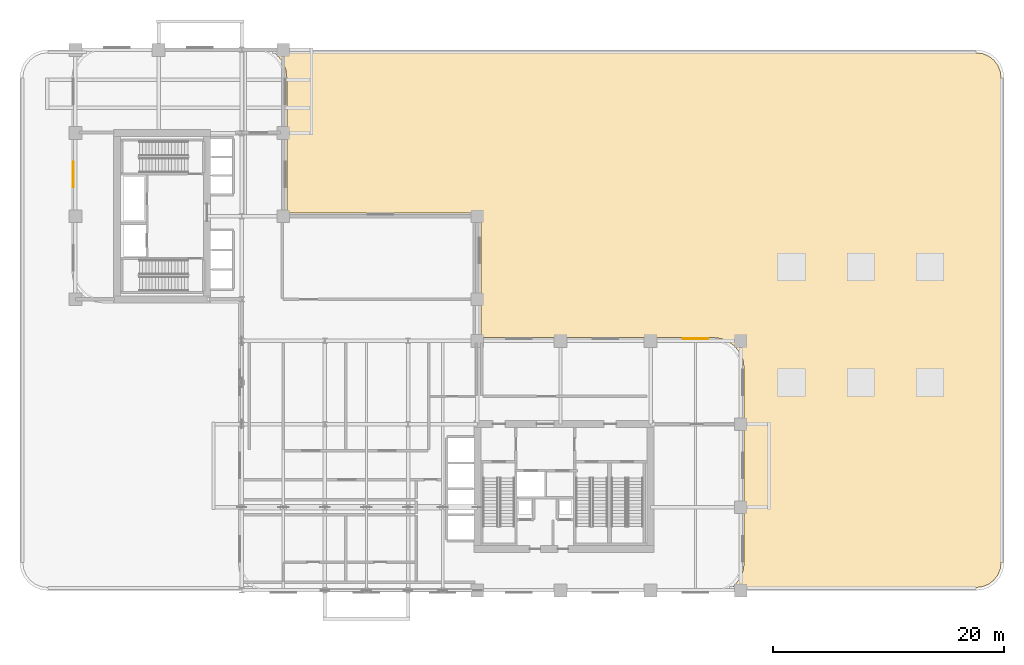
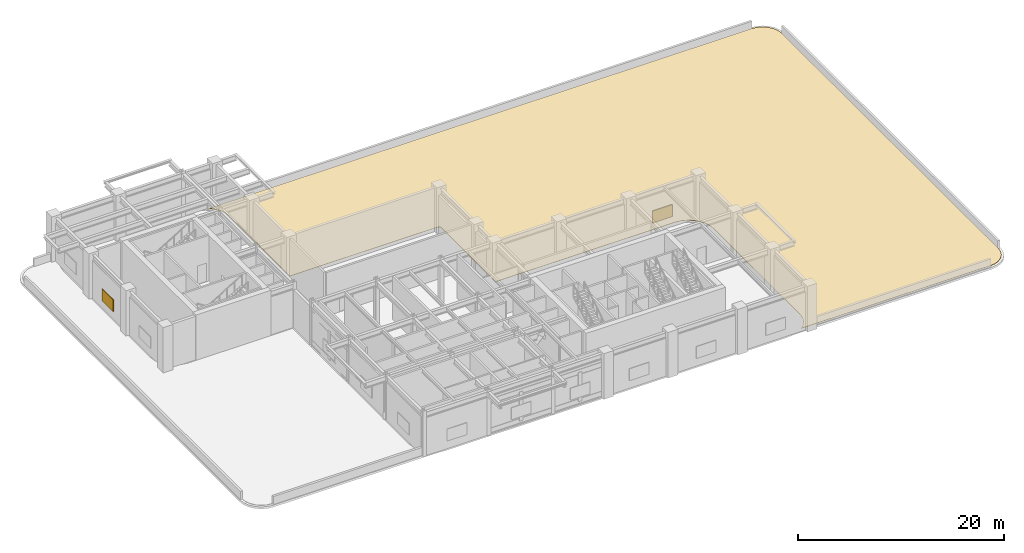
# One storey, part 13 of 14: 2 shading devices, 1 covering.
"""IFC4 building model written with IfcOpenShell, lengths in metres."""

from ifc_helpers import new_model, si_unit, derived_unit, direction, frame, origin, origin_2d, place, context, subcontext, project, spatial, polyline, rectangle, outline, extrude, source, transform, mapped, material, layer, layer_set, type_object, type_shapes, element, save


model = new_model("IFC4")

# Units and contexts
model_context = context("Model", 3, precision=1e-05, world=origin(), true_north=direction((0.0, 1.0)))
body_context = subcontext(model_context, "Body", "Model", "MODEL_VIEW")
ifc_project = project(units=[si_unit("LENGTHUNIT", "METRE"), si_unit("AREAUNIT", "SQUARE_METRE"), si_unit("VOLUMEUNIT", "CUBIC_METRE"), si_unit("PLANEANGLEUNIT", "RADIAN"), si_unit("MASSUNIT", "GRAM", prefix="KILO"), si_unit("THERMODYNAMICTEMPERATUREUNIT", "KELVIN"), si_unit("POWERUNIT", "WATT"), derived_unit("THERMALTRANSMITTANCEUNIT", [(si_unit("POWERUNIT", "WATT"), 1), (si_unit("AREAUNIT", "SQUARE_METRE"), -1), (si_unit("THERMODYNAMICTEMPERATUREUNIT", "KELVIN"), -1)])], contexts=[model_context])

# Site, building, storey
site_placement = place(None, origin())
site = spatial("IfcSite", under=ifc_project, at=site_placement, CompositionType="ELEMENT")
building_placement = place(site_placement, origin())
building = spatial("IfcBuilding", under=site, at=building_placement, Name="Zahravan Archway Hotel and Residences", CompositionType="ELEMENT")
storey_placement = place(building_placement, frame((0.0, 0.0, 27.0)))
storey = spatial("IfcBuildingStorey", under=building, at=storey_placement, Name="L05", CompositionType="ELEMENT", Elevation=27.0)

# Covering
ifc_material_1 = material(Name="Elastomeric Reflective Roof Waterproofing")
ifc_layer_1 = layer(ifc_material_1, 0.034912109375, Name="Elastomeric Reflective Roof Waterproofing")
ifc_layer_set_1 = layer_set([ifc_layer_1], Name="Elastomeric Reflective Roof Waterproofing")
covering_type = type_object("IfcCoveringType", Name="COV-ROOF-MEMB", PredefinedType="ROOFING", material=ifc_layer_set_1)
covering_placement = place(storey_placement, origin())
element("IfcCovering", 1, at=covering_placement, inside=storey, type_object=covering_type, Name="L05 Elastomeric Roof Membrane (SLB-L05-PODROOF-1)", PredefinedType="ROOFING", context=body_context, shape_type="SweptSolid", body=[
    extrude(outline(polyline([(17.19970703125, 46.550048828125), (77.983642578125, 46.550048828125), (78.555908203125, 46.474609375), (79.073974609375, 46.260009765625), (79.518798828125, 45.918701171875), (79.860107421875, 45.473876953125), (80.07470703125, 44.955810546875), (80.14990234375, 44.383544921875), (80.14990234375, 2.41650390625), (80.07470703125, 1.843994140625), (79.860107421875, 1.326171875), (79.518798828125, 0.881103515625), (79.073974609375, 0.539794921875), (78.555908203125, 0.325439453125), (77.983642578125, 0.25), (56.799560546875, 0.25), (57.07958984375, 0.46484375), (57.08642578125, 0.47021484375), (57.08984375, 0.472900390625), (57.107666015625, 0.4892578125), (57.11083984375, 0.4921875), (57.126953125, 0.51025390625), (57.1298828125, 0.513671875), (57.135009765625, 0.520263671875), (57.5166015625, 1.017333984375), (57.521484375, 1.0244140625), (57.524169921875, 1.02783203125), (57.537109375, 1.0478515625), (57.539306640625, 1.051513671875), (57.55078125, 1.07421875), (57.552734375, 1.078369140625), (57.5556640625, 1.085205078125), (57.79541015625, 1.6640625), (57.79931640625, 1.673828125), (57.80078125, 1.677978515625), (57.8076171875, 1.700439453125), (57.808837890625, 1.70458984375), (57.812744140625, 1.722412109375), (57.813720703125, 1.7265625), (57.815673828125, 1.73974609375), (57.8974609375, 2.36083984375), (57.899169921875, 2.378173828125), (57.8994140625, 2.384521484375), (57.89990234375, 2.39990234375), (57.89990234375, 19.199951171875), (57.8994140625, 19.21533203125), (57.899169921875, 19.221923828125), (57.8974609375, 19.239013671875), (57.815673828125, 19.8603515625), (57.813720703125, 19.873291015625), (57.812744140625, 19.877685546875), (57.808837890625, 19.895263671875), (57.8076171875, 19.8994140625), (57.80078125, 19.922119140625), (57.79931640625, 19.92626953125), (57.79541015625, 19.93603515625), (57.5556640625, 20.514892578125), (57.552734375, 20.521728515625), (57.55078125, 20.525634765625), (57.539306640625, 20.54833984375), (57.537109375, 20.55224609375), (57.524169921875, 20.572265625), (57.521484375, 20.57568359375), (57.5166015625, 20.58251953125), (57.135009765625, 21.07958984375), (57.1298828125, 21.08642578125), (57.126953125, 21.08984375), (57.11083984375, 21.107666015625), (57.107666015625, 21.11083984375), (57.08984375, 21.126953125), (57.08642578125, 21.1298828125), (57.07958984375, 21.135009765625), (56.58251953125, 21.5166015625), (56.57568359375, 21.521484375), (56.572265625, 21.524169921875), (56.55224609375, 21.537109375), (56.54833984375, 21.539306640625), (56.525634765625, 21.55078125), (56.521728515625, 21.552734375), (56.514892578125, 21.5556640625), (55.93603515625, 21.79541015625), (55.92626953125, 21.79931640625), (55.922119140625, 21.80078125), (55.8994140625, 21.8076171875), (55.895263671875, 21.808837890625), (55.877685546875, 21.812744140625), (55.873291015625, 21.813720703125), (55.8603515625, 21.815673828125), (55.239013671875, 21.8974609375), (55.221923828125, 21.899169921875), (55.21533203125, 21.8994140625), (55.199951171875, 21.89990234375), (35.10009765625, 21.89990234375), (35.10009765625, 32.39990234375), (35.099853515625, 32.41015625), (35.099609375, 32.4150390625), (35.096435546875, 32.4453125), (35.095703125, 32.4501953125), (35.09130859375, 32.4716796875), (35.090087890625, 32.476318359375), (35.083984375, 32.49658203125), (35.082275390625, 32.501220703125), (35.07275390625, 32.52490234375), (35.070556640625, 32.529296875), (35.058837890625, 32.551513671875), (35.056396484375, 32.5556640625), (35.042236328125, 32.576904296875), (35.039306640625, 32.580810546875), (35.025390625, 32.59814453125), (35.02197265625, 32.601806640625), (35.001708984375, 32.6220703125), (34.998046875, 32.625244140625), (34.98095703125, 32.639404296875), (34.97705078125, 32.64208984375), (34.955810546875, 32.656494140625), (34.951416015625, 32.658935546875), (34.92919921875, 32.670654296875), (34.9248046875, 32.672607421875), (34.901123046875, 32.682373046875), (34.896484375, 32.683837890625), (34.876220703125, 32.68994140625), (34.87158203125, 32.691162109375), (34.85009765625, 32.69580078125), (34.84521484375, 32.696533203125), (34.815185546875, 32.69970703125), (34.810302734375, 32.69970703125), (34.800048828125, 32.699951171875), (18.300048828125, 32.699951171875), (18.300048828125, 44.39990234375), (18.299560546875, 44.415283203125), (18.299072265625, 44.421875), (18.297607421875, 44.439208984375), (18.2158203125, 45.060302734375), (18.213623046875, 45.073486328125), (18.212890625, 45.07763671875), (18.208740234375, 45.09521484375), (18.207763671875, 45.099609375), (18.20068359375, 45.1220703125), (18.19921875, 45.126220703125), (18.1953125, 45.135986328125), (17.955810546875, 45.71484375), (17.95263671875, 45.7216796875), (17.950927734375, 45.7255859375), (17.939208984375, 45.748291015625), (17.93701171875, 45.752197265625), (17.924072265625, 45.772216796875), (17.921630859375, 45.775634765625), (17.91650390625, 45.78271484375), (17.53515625, 46.27978515625), (17.52978515625, 46.286376953125), (17.527099609375, 46.289794921875), (17.5107421875, 46.3076171875), (17.5078125, 46.310791015625), (17.48974609375, 46.326904296875), (17.486328125, 46.329833984375), (17.479736328125, 46.335205078125), (17.19970703125, 46.550048828125)])), origin(), (0.0, 0.0, 1.0), 0.034912109375),
])

# Shading devices
ifc_material_2 = material(Name="Bronze Acoustic Intake Louvre")
ifc_layer_2 = layer(ifc_material_2, 0.080078125, Name="Bronze Acoustic Intake Louvre")
ifc_layer_set_2 = layer_set([ifc_layer_2], Name="Bronze Acoustic Intake Louvre")
shading_device_type = type_object("IfcShadingDeviceType", Name="SHD-LOUVRE-60", PredefinedType="USERDEFINED", material=ifc_layer_set_2)
shared_shape = source(origin(), body_context, "Body", "SweptSolid", [
    extrude(rectangle(XDim=2.199951171875, YDim=0.080078125, at=origin_2d()), origin(), (0.0, 0.0, 1.0), 1.39990234375),
])
type_shapes(shading_device_type, [shared_shape])
for number, where, z_axis, x_axis, name in (
    (2, (53.699951171875, 21.780029296875, 0.949951171875), (0.0, 0.0, 1.0), (1.0, 0.0, 0.0), "L05 Acoustic Plant Intake Louvre 12"),
    (3, (-0.179931640625, 36.0, 0.949951171875), (0.0, 0.0, 1.0), (0.0, 1.0, 0.0), "L05 Acoustic Plant Intake Louvre 17"),
):
    element("IfcShadingDevice", number, at=place(storey_placement, frame(where, z_axis=z_axis, x_axis=x_axis)), inside=storey, type_object=shading_device_type, Name=name, ObjectType="LOUVER", PredefinedType="USERDEFINED", context=body_context, shape_type="MappedRepresentation", body=[
        mapped(shared_shape, transform((0.0, 0.0, 0.0), scale=1.0)),
    ])

save(model, "model.ifc")
